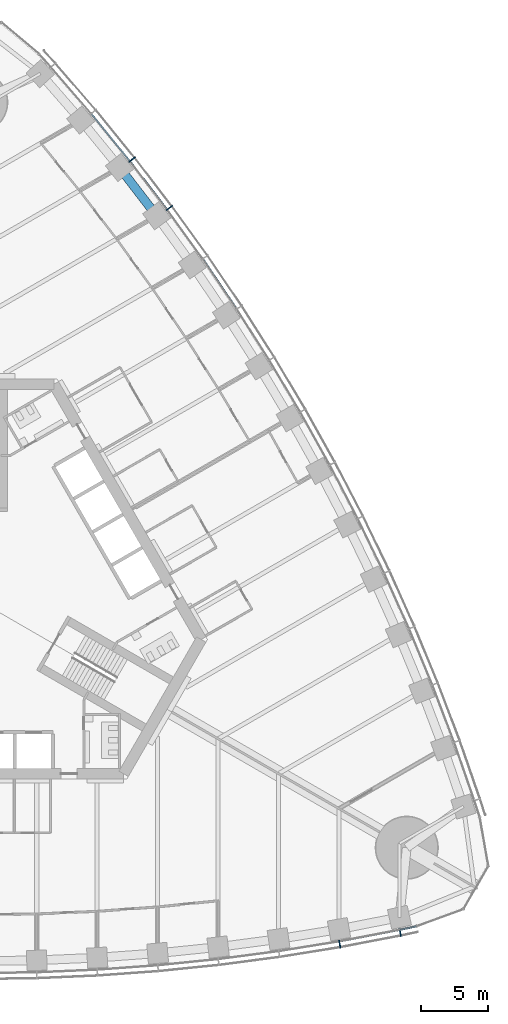
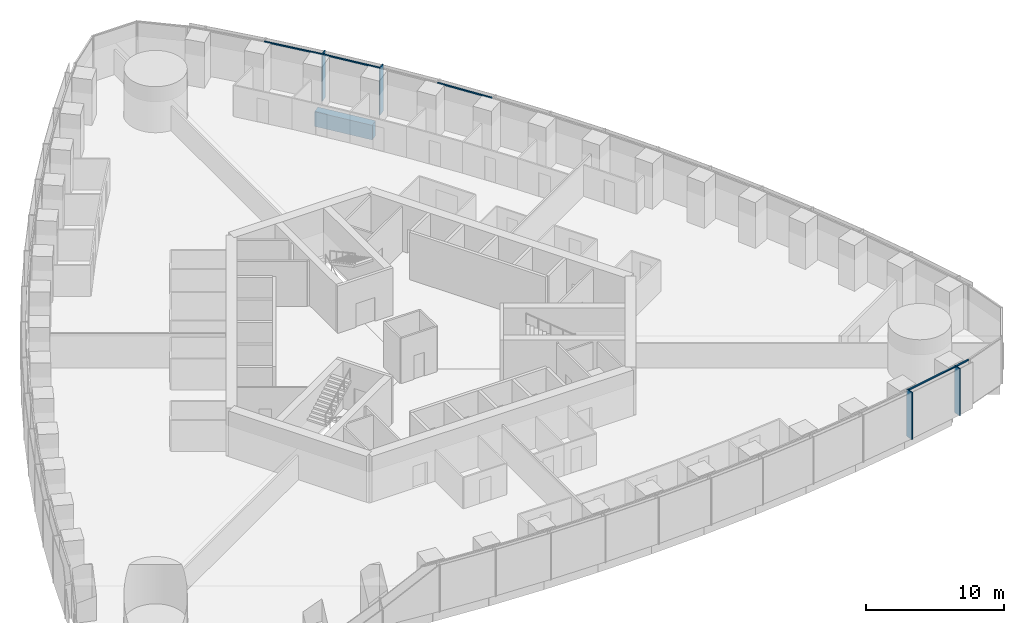
# One storey, part 5 of 18: 9 members, 1 beam, 2 elements without a shape of their own.
"""IFC4 building model written with IfcOpenShell, lengths in metres."""

from ifc_helpers import new_model, si_unit, direction, frame, origin, origin_2d, place, context, subcontext, project, spatial, rectangle, extrude, material, material_profile, profile_set, type_object, element, aggregate, save


model = new_model("IFC4")

# Units and contexts
model_context = context("Model", 3, precision=1e-05, world=origin(), true_north=direction((0.0, 1.0)))
body_context = subcontext(model_context, "Body", "Model", "MODEL_VIEW")
ifc_project = project(units=[si_unit("LENGTHUNIT", "METRE"), si_unit("AREAUNIT", "SQUARE_METRE"), si_unit("VOLUMEUNIT", "CUBIC_METRE"), si_unit("PLANEANGLEUNIT", "RADIAN"), si_unit("MASSUNIT", "GRAM", prefix="KILO")], contexts=[model_context])

# Site, building, storey
site_placement = place(None, origin())
site = spatial("IfcSite", under=ifc_project, at=site_placement, CompositionType="ELEMENT")
building_placement = place(site_placement, origin())
building = spatial("IfcBuilding", under=site, at=building_placement, Name="Trefoil Bronze Tower", CompositionType="ELEMENT")
storey_placement = place(building_placement, frame((0.0, 0.0, 37.5)))
storey = spatial("IfcBuildingStorey", under=building, at=storey_placement, Name="L08", CompositionType="ELEMENT", Elevation=37.5)

# Curtain wall, members
ifc_material_1 = material(Name="Tinted solar-control glass", Category="glass")
curtain_wall_type = type_object("IfcCurtainWallType", Name="Bronze office curtain wall", PredefinedType="USERDEFINED", material=ifc_material_1)
curtain_wall_1_placement = place(storey_placement, origin())
curtain_wall_1 = element("IfcCurtainWall", 1, at=curtain_wall_1_placement, inside=storey, type_object=curtain_wall_type, Name="CW-A L08 F1", ObjectType="CURTAIN WALL", PredefinedType="USERDEFINED")
ifc_material_2 = material(Name="Bronze-finish aluminium", Category="aluminium")
ifc_material_profile_1 = material_profile(ifc_material_2, rectangle(XDim=0.60009765625, YDim=0.080078125, at=origin_2d()), Name="CW-A mullion")
ifc_profile_set_1 = profile_set([ifc_material_profile_1], Name="Bronze-finish aluminium")
member_type_1 = type_object("IfcMemberType", Name="Bronze office curtain wall mullion", PredefinedType="MULLION", material=ifc_profile_set_1)
member_1_placement = place(storey_placement, frame((27.05224609375, -25.67578125, 0.0), z_axis=(0.0, 0.0, 1.0), x_axis=(-0.174131146426, 0.984722470468, 0.0)))
member_1 = element("IfcMember", 2, at=member_1_placement, type_object=member_type_1, Name="CW-A L08 F1 mullion 15", PredefinedType="MULLION", context=body_context, shape_type="SweptSolid", body=[
    extrude(rectangle(XDim=0.60009765625, YDim=0.080078125, at=origin_2d()), origin(), (0.0, 0.0, 1.0), 4.179931640625),
])
member_2_placement = place(storey_placement, frame((31.559326171875, -24.81005859375, 0.0), z_axis=(0.0, 0.0, 1.0), x_axis=(-0.197910006829, 0.98022019424, 0.0)))
member_2 = element("IfcMember", 3, at=member_2_placement, type_object=member_type_1, Name="CW-A L08 F1 mullion 16", PredefinedType="MULLION", context=body_context, shape_type="SweptSolid", body=[
    extrude(rectangle(XDim=0.60009765625, YDim=0.080078125, at=origin_2d()), origin(), (0.0, 0.0, 1.0), 4.179931640625),
])

curtain_wall_2_placement = place(storey_placement, origin())
curtain_wall_2 = element("IfcCurtainWall", 4, at=curtain_wall_2_placement, inside=storey, type_object=curtain_wall_type, Name="CW-A L08 F2", ObjectType="CURTAIN WALL", PredefinedType="USERDEFINED")
member_3_placement = place(storey_placement, frame((14.364013671875, 29.117919921875, 0.0), z_axis=(0.0, 0.0, 1.0), x_axis=(-0.802126748469, -0.59715381552, 0.0)))
member_3 = element("IfcMember", 5, at=member_3_placement, type_object=member_type_1, Name="CW-A L08 F2 mullion 13", PredefinedType="MULLION", context=body_context, shape_type="SweptSolid", body=[
    extrude(rectangle(XDim=0.60009765625, YDim=0.080078125, at=origin_2d()), origin(), (0.0, 0.0, 1.0), 4.179931640625),
])
member_4_placement = place(storey_placement, frame((11.595458984375, 32.7255859375, 0.0), z_axis=(0.0, 0.0, 1.0), x_axis=(-0.784304615744, -0.620375910011, 0.0)))
member_4 = element("IfcMember", 6, at=member_4_placement, type_object=member_type_1, Name="CW-A L08 F2 mullion 14", PredefinedType="MULLION", context=body_context, shape_type="SweptSolid", body=[
    extrude(rectangle(XDim=0.60009765625, YDim=0.080078125, at=origin_2d()), origin(), (0.0, 0.0, 1.0), 4.179931640625),
])

# Member
ifc_material_3 = material(Name="Bronze-finish aluminium", Category="aluminium")
ifc_material_profile_2 = material_profile(ifc_material_3, rectangle(XDim=0.1201171875, YDim=0.10009765625, at=origin_2d()), Name="CW-A transom")
ifc_profile_set_2 = profile_set([ifc_material_profile_2], Name="Bronze-finish aluminium")
member_type_2 = type_object("IfcMemberType", Name="Bronze office curtain wall transom", PredefinedType="USERDEFINED", material=ifc_profile_set_2)
member_5_placement = place(storey_placement, frame((27.05810546875, -25.470947265625, 4.1298828125), z_axis=(0.982053603997, 0.188602011855, 0.0), x_axis=(-0.188602011855, 0.982053603997, 0.0)))
member_5 = element("IfcMember", 7, at=member_5_placement, type_object=member_type_2, Name="CW-A L08 F1 transom 15", ObjectType="TRANSOM", PredefinedType="USERDEFINED", context=body_context, shape_type="SweptSolid", body=[
    extrude(rectangle(XDim=0.1201171875, YDim=0.10009765625, at=origin_2d()), origin(), (0.0, 0.0, 1.0), 4.502197265625),
])

member_6_placement = place(storey_placement, frame((31.559814453125, -24.605712890625, 4.1298828125), z_axis=(0.978266371807, 0.207352129942, 0.0), x_axis=(-0.207352129942, 0.978266371807, 0.0)))
member_6 = element("IfcMember", 8, at=member_6_placement, type_object=member_type_2, Name="CW-A L08 F1 transom 16", ObjectType="TRANSOM", PredefinedType="USERDEFINED", context=body_context, shape_type="SweptSolid", body=[
    extrude(rectangle(XDim=0.1201171875, YDim=0.10009765625, at=origin_2d()), origin(), (0.0, 0.0, 1.0), 1.21044921875),
])

aggregate(curtain_wall_1, [member_1, member_2, member_5, member_6])

member_7_placement = place(storey_placement, frame((19.364990234375, 21.627197265625, 4.1298828125), z_axis=(-0.561508153923, 0.827471203775, 0.0), x_axis=(-0.827471203775, -0.561508153923, 0.0)))
member_7 = element("IfcMember", 9, at=member_7_placement, type_object=member_type_2, Name="CW-A L08 F2 transom 11", ObjectType="TRANSOM", PredefinedType="USERDEFINED", context=body_context, shape_type="SweptSolid", body=[
    extrude(rectangle(XDim=0.1201171875, YDim=0.10009765625, at=origin_2d()), origin(), (0.0, 0.0, 1.0), 4.431884765625),
])

member_8_placement = place(storey_placement, frame((14.178466796875, 29.031494140625, 4.1298828125), z_axis=(-0.608829203216, 0.793301330713, 0.0), x_axis=(-0.793301330713, -0.608829203216, 0.0)))
member_8 = element("IfcMember", 10, at=member_8_placement, type_object=member_type_2, Name="CW-A L08 F2 transom 13", ObjectType="TRANSOM", PredefinedType="USERDEFINED", context=body_context, shape_type="SweptSolid", body=[
    extrude(rectangle(XDim=0.1201171875, YDim=0.10009765625, at=origin_2d()), origin(), (0.0, 0.0, 1.0), 4.458740234375),
])

member_9_placement = place(storey_placement, frame((11.412353515625, 32.6337890625, 4.1298828125), z_axis=(-0.631835540201, 0.775102477185, 0.0), x_axis=(-0.775102477185, -0.631835540201, 0.0)))
member_9 = element("IfcMember", 11, at=member_9_placement, type_object=member_type_2, Name="CW-A L08 F2 transom 14", ObjectType="TRANSOM", PredefinedType="USERDEFINED", context=body_context, shape_type="SweptSolid", body=[
    extrude(rectangle(XDim=0.1201171875, YDim=0.10009765625, at=origin_2d()), origin(), (0.0, 0.0, 1.0), 4.478271484375),
])

aggregate(curtain_wall_2, [member_3, member_4, member_7, member_8, member_9])

# Beam
ifc_material_4 = material(Name="Concrete B80", Category="concrete")
ifc_material_profile_3 = material_profile(ifc_material_4, rectangle(XDim=0.64990234375, YDim=1.300048828125, at=origin_2d()), Name="RC 650x1300")
ifc_profile_set_3 = profile_set([ifc_material_profile_3], Name="Concrete B80")
beam_type = type_object("IfcBeamType", Name="Spandrel beam RC 650x1300", PredefinedType="SPANDREL", material=ifc_profile_set_3)
beam_placement = place(storey_placement, frame((13.42578125, 28.5361328125, -0.85009765625), z_axis=(-0.609338992146, 0.792909826305, 0.0), x_axis=(-0.792909826305, -0.609338992146, 0.0)))
element("IfcBeam", 12, at=beam_placement, inside=storey, type_object=beam_type, Name="Spandrel F2.13 L08", PredefinedType="SPANDREL", context=body_context, shape_type="SweptSolid", body=[
    extrude(rectangle(XDim=0.64990234375, YDim=1.300048828125, at=origin_2d()), origin(), (0.0, 0.0, 1.0), 4.5390625),
])

save(model, "model.ifc")
